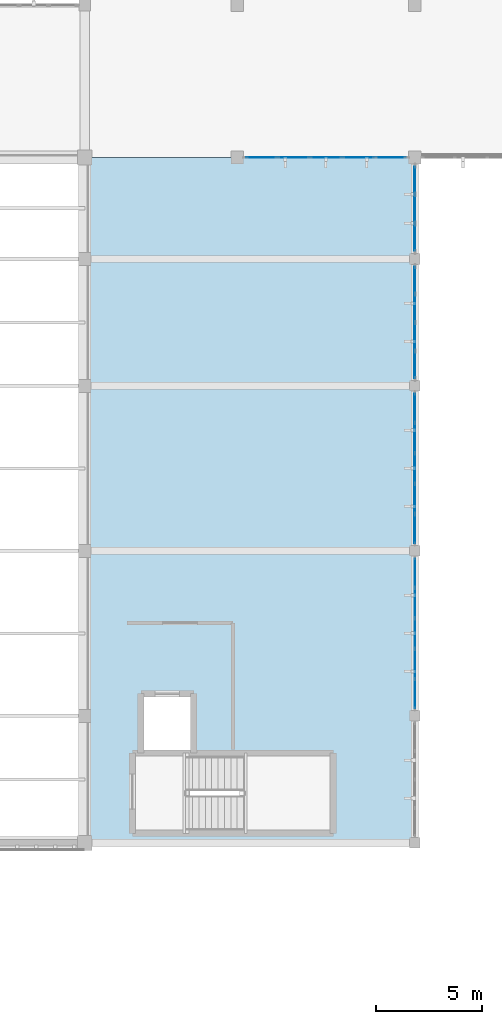
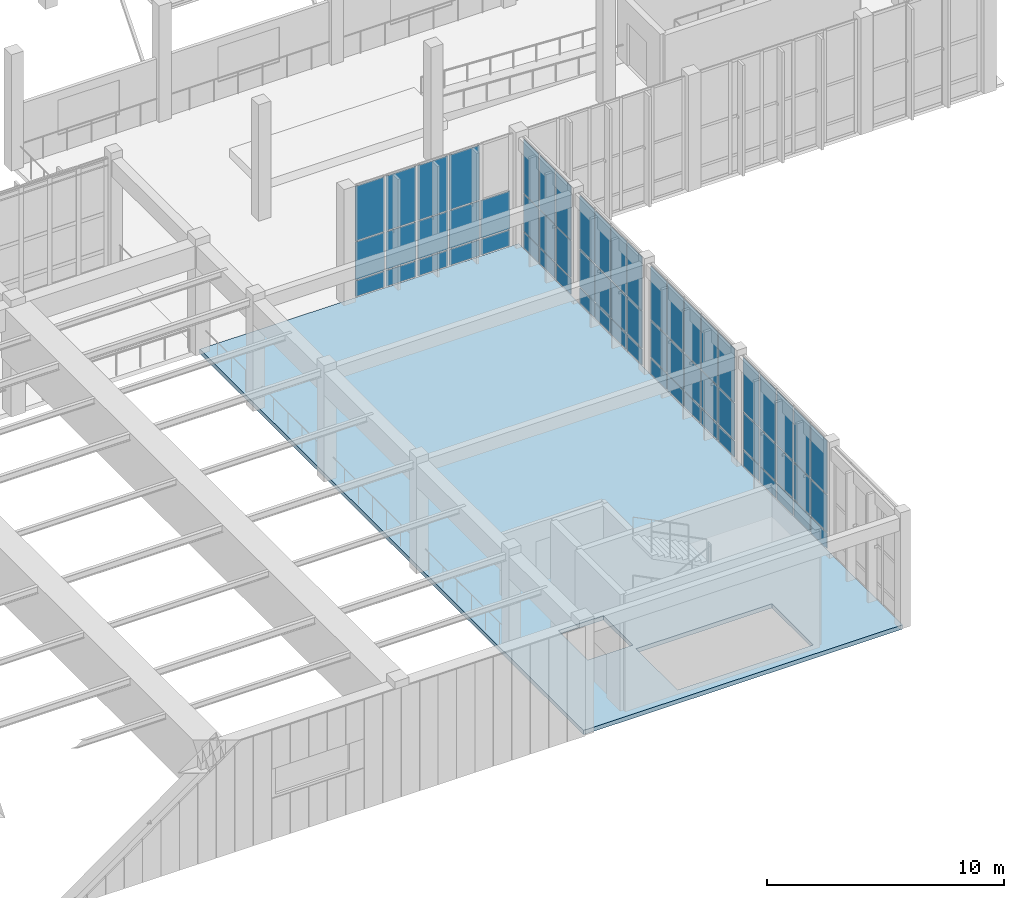
# One storey, part 65 of 105: 65 plates, 1 slab, 5 elements without a shape of their own.
"""IFC4 building model written with IfcOpenShell, lengths in metres."""

from ifc_helpers import new_model, si_unit, direction, frame, origin, origin_2d, place, context, subcontext, project, spatial, polyline, rectangle, outline, extrude, material, layer, layer_set, type_object, element, aggregate, save


model = new_model("IFC4")

# Units and contexts
model_context = context("Model", 3, precision=1e-05, world=origin(), true_north=direction((0.0, 1.0)))
body_context = subcontext(model_context, "Body", "Model", "MODEL_VIEW")
ifc_project = project(units=[si_unit("LENGTHUNIT", "METRE"), si_unit("AREAUNIT", "SQUARE_METRE"), si_unit("VOLUMEUNIT", "CUBIC_METRE"), si_unit("PLANEANGLEUNIT", "RADIAN"), si_unit("MASSUNIT", "GRAM", prefix="KILO")], contexts=[model_context])

# Site, building, storey
site_placement = place(None, origin())
site = spatial("IfcSite", under=ifc_project, at=site_placement, CompositionType="ELEMENT")
building_placement = place(site_placement, origin())
building = spatial("IfcBuilding", under=site, at=building_placement, Name="Tizgana Railside Sports Hall", CompositionType="ELEMENT")
storey_placement = place(building_placement, frame((0.0, 0.0, 6.0)))
storey = spatial("IfcBuildingStorey", under=building, at=storey_placement, Name="L01", CompositionType="ELEMENT", Elevation=6.0)

# Curtain wall, plates
ifc_material_1 = material(Name="Anodised aluminium and glass", Category="aluminium")
curtain_wall_type_1 = type_object("IfcCurtainWallType", Name="Unitised Curtain Wall Foyer 1300", PredefinedType="NOTDEFINED", material=ifc_material_1)
curtain_wall_1_placement = place(storey_placement, origin())
curtain_wall_1 = element("IfcCurtainWall", 1, at=curtain_wall_1_placement, inside=storey, type_object=curtain_wall_type_1, Name="L01 Curtain Wall CW-0033", PredefinedType="NOTDEFINED")
ifc_material_2 = material(Name="Double low-E laminated glass", Category="glass")
ifc_layer_1 = layer(ifc_material_2, 0.033935546875, Name="Double low-E laminated glass")
ifc_layer_set_1 = layer_set([ifc_layer_1], Name="Double low-E laminated glass")
plate_type_1 = type_object("IfcPlateType", Name="Acoustic Laminated Glazing Panel 34", PredefinedType="CURTAIN_PANEL", material=ifc_layer_set_1)
plate_1_placement = place(storey_placement, frame((149.39990234375, 55.64013671875, 0.06494140625), z_axis=(0.0, 0.0, 1.0), x_axis=(0.0, 1.0, 0.0)))
plate_1 = element("IfcPlate", 2, at=plate_1_placement, type_object=plate_type_1, Name="CW-02 panel 1.1", PredefinedType="CURTAIN_PANEL", context=body_context, shape_type="SweptSolid", body=[
    extrude(rectangle(XDim=1.340576171875, YDim=0.033935546875, at=origin_2d()), origin(), (0.0, 0.0, 1.0), 0.802490234375),
])
plate_2_placement = place(storey_placement, frame((149.39990234375, 55.64013671875, 0.9326171875), z_axis=(0.0, 0.0, 1.0), x_axis=(0.0, 1.0, 0.0)))
plate_2 = element("IfcPlate", 3, at=plate_2_placement, type_object=plate_type_1, Name="CW-02 panel 1.2", PredefinedType="CURTAIN_PANEL", context=body_context, shape_type="SweptSolid", body=[
    extrude(rectangle(XDim=1.340576171875, YDim=0.033935546875, at=origin_2d()), origin(), (0.0, 0.0, 1.0), 1.8798828125),
])
plate_3_placement = place(storey_placement, frame((149.39990234375, 55.64013671875, 2.87744140625), z_axis=(0.0, 0.0, 1.0), x_axis=(0.0, 1.0, 0.0)))
plate_3 = element("IfcPlate", 4, at=plate_3_placement, type_object=plate_type_1, Name="CW-02 panel 1.3", PredefinedType="CURTAIN_PANEL", context=body_context, shape_type="SweptSolid", body=[
    extrude(rectangle(XDim=1.340576171875, YDim=0.033935546875, at=origin_2d()), origin(), (0.0, 0.0, 1.0), 2.74755859375),
])
plate_4_placement = place(storey_placement, frame((149.39990234375, 57.06201171875, 0.06494140625), z_axis=(0.0, 0.0, 1.0), x_axis=(0.0, 1.0, 0.0)))
plate_4 = element("IfcPlate", 5, at=plate_4_placement, type_object=plate_type_1, Name="CW-02 panel 2.1", PredefinedType="CURTAIN_PANEL", context=body_context, shape_type="SweptSolid", body=[
    extrude(rectangle(XDim=1.373046875, YDim=0.033935546875, at=origin_2d()), origin(), (0.0, 0.0, 1.0), 0.802490234375),
])
plate_5_placement = place(storey_placement, frame((149.39990234375, 57.06201171875, 0.9326171875), z_axis=(0.0, 0.0, 1.0), x_axis=(0.0, 1.0, 0.0)))
plate_5 = element("IfcPlate", 6, at=plate_5_placement, type_object=plate_type_1, Name="CW-02 panel 2.2", PredefinedType="CURTAIN_PANEL", context=body_context, shape_type="SweptSolid", body=[
    extrude(rectangle(XDim=1.373046875, YDim=0.033935546875, at=origin_2d()), origin(), (0.0, 0.0, 1.0), 1.8798828125),
])
plate_6_placement = place(storey_placement, frame((149.39990234375, 57.06201171875, 2.87744140625), z_axis=(0.0, 0.0, 1.0), x_axis=(0.0, 1.0, 0.0)))
plate_6 = element("IfcPlate", 7, at=plate_6_placement, type_object=plate_type_1, Name="CW-02 panel 2.3", PredefinedType="CURTAIN_PANEL", context=body_context, shape_type="SweptSolid", body=[
    extrude(rectangle(XDim=1.373046875, YDim=0.033935546875, at=origin_2d()), origin(), (0.0, 0.0, 1.0), 2.74755859375),
])
plate_7_placement = place(storey_placement, frame((149.39990234375, 58.5, 0.06494140625), z_axis=(0.0, 0.0, 1.0), x_axis=(0.0, 1.0, 0.0)))
plate_7 = element("IfcPlate", 8, at=plate_7_placement, type_object=plate_type_1, Name="CW-02 panel 3.1", PredefinedType="CURTAIN_PANEL", context=body_context, shape_type="SweptSolid", body=[
    extrude(rectangle(XDim=1.373046875, YDim=0.033935546875, at=origin_2d()), origin(), (0.0, 0.0, 1.0), 0.802490234375),
])
plate_8_placement = place(storey_placement, frame((149.39990234375, 58.5, 0.9326171875), z_axis=(0.0, 0.0, 1.0), x_axis=(0.0, 1.0, 0.0)))
plate_8 = element("IfcPlate", 9, at=plate_8_placement, type_object=plate_type_1, Name="CW-02 panel 3.2", PredefinedType="CURTAIN_PANEL", context=body_context, shape_type="SweptSolid", body=[
    extrude(rectangle(XDim=1.373046875, YDim=0.033935546875, at=origin_2d()), origin(), (0.0, 0.0, 1.0), 1.8798828125),
])
plate_9_placement = place(storey_placement, frame((149.39990234375, 58.5, 2.87744140625), z_axis=(0.0, 0.0, 1.0), x_axis=(0.0, 1.0, 0.0)))
plate_9 = element("IfcPlate", 10, at=plate_9_placement, type_object=plate_type_1, Name="CW-02 panel 3.3", PredefinedType="CURTAIN_PANEL", context=body_context, shape_type="SweptSolid", body=[
    extrude(rectangle(XDim=1.373046875, YDim=0.033935546875, at=origin_2d()), origin(), (0.0, 0.0, 1.0), 2.74755859375),
])
plate_10_placement = place(storey_placement, frame((149.39990234375, 59.93798828125, 0.06494140625), z_axis=(0.0, 0.0, 1.0), x_axis=(0.0, 1.0, 0.0)))
plate_10 = element("IfcPlate", 11, at=plate_10_placement, type_object=plate_type_1, Name="CW-02 panel 4.1", PredefinedType="CURTAIN_PANEL", context=body_context, shape_type="SweptSolid", body=[
    extrude(rectangle(XDim=1.373046875, YDim=0.033935546875, at=origin_2d()), origin(), (0.0, 0.0, 1.0), 0.802490234375),
])
plate_11_placement = place(storey_placement, frame((149.39990234375, 59.93798828125, 0.9326171875), z_axis=(0.0, 0.0, 1.0), x_axis=(0.0, 1.0, 0.0)))
plate_11 = element("IfcPlate", 12, at=plate_11_placement, type_object=plate_type_1, Name="CW-02 panel 4.2", PredefinedType="CURTAIN_PANEL", context=body_context, shape_type="SweptSolid", body=[
    extrude(rectangle(XDim=1.373046875, YDim=0.033935546875, at=origin_2d()), origin(), (0.0, 0.0, 1.0), 1.8798828125),
])
plate_12_placement = place(storey_placement, frame((149.39990234375, 59.93798828125, 2.87744140625), z_axis=(0.0, 0.0, 1.0), x_axis=(0.0, 1.0, 0.0)))
plate_12 = element("IfcPlate", 13, at=plate_12_placement, type_object=plate_type_1, Name="CW-02 panel 4.3", PredefinedType="CURTAIN_PANEL", context=body_context, shape_type="SweptSolid", body=[
    extrude(rectangle(XDim=1.373046875, YDim=0.033935546875, at=origin_2d()), origin(), (0.0, 0.0, 1.0), 2.74755859375),
])
plate_13_placement = place(storey_placement, frame((149.39990234375, 61.35986328125, 0.06494140625), z_axis=(0.0, 0.0, 1.0), x_axis=(0.0, 1.0, 0.0)))
plate_13 = element("IfcPlate", 14, at=plate_13_placement, type_object=plate_type_1, Name="CW-02 panel 5.1", PredefinedType="CURTAIN_PANEL", context=body_context, shape_type="SweptSolid", body=[
    extrude(rectangle(XDim=1.340576171875, YDim=0.033935546875, at=origin_2d()), origin(), (0.0, 0.0, 1.0), 0.802490234375),
])
plate_14_placement = place(storey_placement, frame((149.39990234375, 61.35986328125, 0.9326171875), z_axis=(0.0, 0.0, 1.0), x_axis=(0.0, 1.0, 0.0)))
plate_14 = element("IfcPlate", 15, at=plate_14_placement, type_object=plate_type_1, Name="CW-02 panel 5.2", PredefinedType="CURTAIN_PANEL", context=body_context, shape_type="SweptSolid", body=[
    extrude(rectangle(XDim=1.340576171875, YDim=0.033935546875, at=origin_2d()), origin(), (0.0, 0.0, 1.0), 1.8798828125),
])
plate_15_placement = place(storey_placement, frame((149.39990234375, 61.35986328125, 2.87744140625), z_axis=(0.0, 0.0, 1.0), x_axis=(0.0, 1.0, 0.0)))
plate_15 = element("IfcPlate", 16, at=plate_15_placement, type_object=plate_type_1, Name="CW-02 panel 5.3", PredefinedType="CURTAIN_PANEL", context=body_context, shape_type="SweptSolid", body=[
    extrude(rectangle(XDim=1.340576171875, YDim=0.033935546875, at=origin_2d()), origin(), (0.0, 0.0, 1.0), 2.74755859375),
])
aggregate(curtain_wall_1, [plate_1, plate_2, plate_3, plate_4, plate_5, plate_6, plate_7, plate_8, plate_9, plate_10, plate_11, plate_12, plate_13, plate_14, plate_15])

# Slab
ifc_material_3 = material(Name="Concrete C35/45", Category="concrete")
ifc_layer_2 = layer(ifc_material_3, 0.219970703125, Name="Concrete C35/45")
ifc_layer_set_2 = layer_set([ifc_layer_2], Name="Concrete C35/45")
slab_type = type_object("IfcSlabType", Name="Core Lobby Suspended Slab 220", PredefinedType="FLOOR", material=ifc_layer_set_2)
slab_placement = place(storey_placement, frame((0.0, 0.0, -0.219970703125)))
element("IfcSlab", 17, at=slab_placement, inside=storey, type_object=slab_type, Name="L01 East Athletics Link L01 Slab SLB-0020", PredefinedType="FLOOR", context=body_context, shape_type="SweptSolid", body=[
    extrude(outline(polyline([(133.85009765625, 40.800048828125), (149.39990234375, 40.800048828125), (149.39990234375, 73.199951171875), (133.85009765625, 73.199951171875), (133.85009765625, 40.800048828125)]), holes=[polyline([(138.780029296875, 41.39990234375), (145.39990234375, 41.39990234375), (145.39990234375, 44.89990234375), (138.780029296875, 44.89990234375), (138.780029296875, 41.39990234375)]), polyline([(136.60009765625, 45.199951171875), (138.800048828125, 45.199951171875), (138.800048828125, 47.699951171875), (136.60009765625, 47.699951171875), (136.60009765625, 45.199951171875)])]), origin(), (0.0, 0.0, 1.0), 0.219970703125),
])

# Curtain wall, plates
curtain_wall_type_2 = type_object("IfcCurtainWallType", Name="Unitised Curtain Wall Studio 1400", PredefinedType="NOTDEFINED", material=ifc_material_1)
curtain_wall_2_placement = place(storey_placement, origin())
curtain_wall_2 = element("IfcCurtainWall", 18, at=curtain_wall_2_placement, inside=storey, type_object=curtain_wall_type_2, Name="L01 Curtain Wall CW-0034", PredefinedType="NOTDEFINED")
ifc_layer_3 = layer(ifc_material_2, 0.0400390625, Name="Double low-E laminated glass")
ifc_layer_set_3 = layer_set([ifc_layer_3], Name="Double low-E laminated glass")
plate_type_2 = type_object("IfcPlateType", Name="High-Span Tempered Glazing Panel 40", PredefinedType="CURTAIN_PANEL", material=ifc_layer_set_3)
plate_16_placement = place(storey_placement, frame((149.39990234375, 63.396240234375, 0.070068359375), z_axis=(0.0, 0.0, 1.0), x_axis=(0.0, 1.0, 0.0)))
plate_16 = element("IfcPlate", 19, at=plate_16_placement, type_object=plate_type_2, Name="CW-03 panel 1.1", PredefinedType="CURTAIN_PANEL", context=body_context, shape_type="SweptSolid", body=[
    extrude(rectangle(XDim=1.242431640625, YDim=0.0400390625, at=origin_2d()), origin(), (0.0, 0.0, 1.0), 0.794921875),
])
plate_17_placement = place(storey_placement, frame((149.39990234375, 63.396240234375, 0.93505859375), z_axis=(0.0, 0.0, 1.0), x_axis=(0.0, 1.0, 0.0)))
plate_17 = element("IfcPlate", 20, at=plate_17_placement, type_object=plate_type_2, Name="CW-03 panel 1.2", PredefinedType="CURTAIN_PANEL", context=body_context, shape_type="SweptSolid", body=[
    extrude(rectangle(XDim=1.242431640625, YDim=0.0400390625, at=origin_2d()), origin(), (0.0, 0.0, 1.0), 1.875),
])
plate_18_placement = place(storey_placement, frame((149.39990234375, 63.396240234375, 2.8798828125), z_axis=(0.0, 0.0, 1.0), x_axis=(0.0, 1.0, 0.0)))
plate_18 = element("IfcPlate", 21, at=plate_18_placement, type_object=plate_type_2, Name="CW-03 panel 1.3", PredefinedType="CURTAIN_PANEL", context=body_context, shape_type="SweptSolid", body=[
    extrude(rectangle(XDim=1.242431640625, YDim=0.0400390625, at=origin_2d()), origin(), (0.0, 0.0, 1.0), 2.739990234375),
])
plate_19_placement = place(storey_placement, frame((149.39990234375, 64.726318359375, 0.070068359375), z_axis=(0.0, 0.0, 1.0), x_axis=(0.0, 1.0, 0.0)))
plate_19 = element("IfcPlate", 22, at=plate_19_placement, type_object=plate_type_2, Name="CW-03 panel 2.1", PredefinedType="CURTAIN_PANEL", context=body_context, shape_type="SweptSolid", body=[
    extrude(rectangle(XDim=1.277587890625, YDim=0.0400390625, at=origin_2d()), origin(), (0.0, 0.0, 1.0), 0.794921875),
])
plate_20_placement = place(storey_placement, frame((149.39990234375, 64.726318359375, 0.93505859375), z_axis=(0.0, 0.0, 1.0), x_axis=(0.0, 1.0, 0.0)))
plate_20 = element("IfcPlate", 23, at=plate_20_placement, type_object=plate_type_2, Name="CW-03 panel 2.2", PredefinedType="CURTAIN_PANEL", context=body_context, shape_type="SweptSolid", body=[
    extrude(rectangle(XDim=1.277587890625, YDim=0.0400390625, at=origin_2d()), origin(), (0.0, 0.0, 1.0), 1.875),
])
plate_21_placement = place(storey_placement, frame((149.39990234375, 64.726318359375, 2.8798828125), z_axis=(0.0, 0.0, 1.0), x_axis=(0.0, 1.0, 0.0)))
plate_21 = element("IfcPlate", 24, at=plate_21_placement, type_object=plate_type_2, Name="CW-03 panel 2.3", PredefinedType="CURTAIN_PANEL", context=body_context, shape_type="SweptSolid", body=[
    extrude(rectangle(XDim=1.277587890625, YDim=0.0400390625, at=origin_2d()), origin(), (0.0, 0.0, 1.0), 2.739990234375),
])
plate_22_placement = place(storey_placement, frame((149.39990234375, 66.07373046875, 0.070068359375), z_axis=(0.0, 0.0, 1.0), x_axis=(0.0, 1.0, 0.0)))
plate_22 = element("IfcPlate", 25, at=plate_22_placement, type_object=plate_type_2, Name="CW-03 panel 3.1", PredefinedType="CURTAIN_PANEL", context=body_context, shape_type="SweptSolid", body=[
    extrude(rectangle(XDim=1.277587890625, YDim=0.0400390625, at=origin_2d()), origin(), (0.0, 0.0, 1.0), 0.794921875),
])
plate_23_placement = place(storey_placement, frame((149.39990234375, 66.07373046875, 0.93505859375), z_axis=(0.0, 0.0, 1.0), x_axis=(0.0, 1.0, 0.0)))
plate_23 = element("IfcPlate", 26, at=plate_23_placement, type_object=plate_type_2, Name="CW-03 panel 3.2", PredefinedType="CURTAIN_PANEL", context=body_context, shape_type="SweptSolid", body=[
    extrude(rectangle(XDim=1.277587890625, YDim=0.0400390625, at=origin_2d()), origin(), (0.0, 0.0, 1.0), 1.875),
])
plate_24_placement = place(storey_placement, frame((149.39990234375, 66.07373046875, 2.8798828125), z_axis=(0.0, 0.0, 1.0), x_axis=(0.0, 1.0, 0.0)))
plate_24 = element("IfcPlate", 27, at=plate_24_placement, type_object=plate_type_2, Name="CW-03 panel 3.3", PredefinedType="CURTAIN_PANEL", context=body_context, shape_type="SweptSolid", body=[
    extrude(rectangle(XDim=1.277587890625, YDim=0.0400390625, at=origin_2d()), origin(), (0.0, 0.0, 1.0), 2.739990234375),
])
plate_25_placement = place(storey_placement, frame((149.39990234375, 67.40380859375, 0.070068359375), z_axis=(0.0, 0.0, 1.0), x_axis=(0.0, 1.0, 0.0)))
plate_25 = element("IfcPlate", 28, at=plate_25_placement, type_object=plate_type_2, Name="CW-03 panel 4.1", PredefinedType="CURTAIN_PANEL", context=body_context, shape_type="SweptSolid", body=[
    extrude(rectangle(XDim=1.242431640625, YDim=0.0400390625, at=origin_2d()), origin(), (0.0, 0.0, 1.0), 0.794921875),
])
plate_26_placement = place(storey_placement, frame((149.39990234375, 67.40380859375, 0.93505859375), z_axis=(0.0, 0.0, 1.0), x_axis=(0.0, 1.0, 0.0)))
plate_26 = element("IfcPlate", 29, at=plate_26_placement, type_object=plate_type_2, Name="CW-03 panel 4.2", PredefinedType="CURTAIN_PANEL", context=body_context, shape_type="SweptSolid", body=[
    extrude(rectangle(XDim=1.242431640625, YDim=0.0400390625, at=origin_2d()), origin(), (0.0, 0.0, 1.0), 1.875),
])
plate_27_placement = place(storey_placement, frame((149.39990234375, 67.40380859375, 2.8798828125), z_axis=(0.0, 0.0, 1.0), x_axis=(0.0, 1.0, 0.0)))
plate_27 = element("IfcPlate", 30, at=plate_27_placement, type_object=plate_type_2, Name="CW-03 panel 4.3", PredefinedType="CURTAIN_PANEL", context=body_context, shape_type="SweptSolid", body=[
    extrude(rectangle(XDim=1.242431640625, YDim=0.0400390625, at=origin_2d()), origin(), (0.0, 0.0, 1.0), 2.739990234375),
])
aggregate(curtain_wall_2, [plate_16, plate_17, plate_18, plate_19, plate_20, plate_21, plate_22, plate_23, plate_24, plate_25, plate_26, plate_27])

curtain_wall_type_3 = type_object("IfcCurtainWallType", Name="Unitised Curtain Wall Climbing 1600", PredefinedType="NOTDEFINED", material=ifc_material_1)
curtain_wall_3_placement = place(storey_placement, origin())
curtain_wall_3 = element("IfcCurtainWall", 31, at=curtain_wall_3_placement, inside=storey, type_object=curtain_wall_type_3, Name="L01 Curtain Wall CW-0035", PredefinedType="NOTDEFINED")
ifc_layer_4 = layer(ifc_material_2, 0.031982421875, Name="Double low-E laminated glass")
ifc_layer_set_4 = layer_set([ifc_layer_4], Name="Double low-E laminated glass")
plate_type_3 = type_object("IfcPlateType", Name="North-Light Clerestory Glazing Panel 32", PredefinedType="CURTAIN_PANEL", material=ifc_layer_set_4)
plate_28_placement = place(storey_placement, frame((149.39990234375, 69.413818359375, 0.05517578125), z_axis=(0.0, 0.0, 1.0), x_axis=(0.0, 1.0, 0.0)))
plate_28 = element("IfcPlate", 32, at=plate_28_placement, type_object=plate_type_3, Name="CW-04 panel 1.1", PredefinedType="CURTAIN_PANEL", context=body_context, shape_type="SweptSolid", body=[
    extrude(rectangle(XDim=1.267578125, YDim=0.031982421875, at=origin_2d()), origin(), (0.0, 0.0, 1.0), 0.8173828125),
])
plate_29_placement = place(storey_placement, frame((149.39990234375, 69.413818359375, 0.927734375), z_axis=(0.0, 0.0, 1.0), x_axis=(0.0, 1.0, 0.0)))
plate_29 = element("IfcPlate", 33, at=plate_29_placement, type_object=plate_type_3, Name="CW-04 panel 1.2", PredefinedType="CURTAIN_PANEL", context=body_context, shape_type="SweptSolid", body=[
    extrude(rectangle(XDim=1.267578125, YDim=0.031982421875, at=origin_2d()), origin(), (0.0, 0.0, 1.0), 1.889892578125),
])
plate_30_placement = place(storey_placement, frame((149.39990234375, 69.413818359375, 2.87255859375), z_axis=(0.0, 0.0, 1.0), x_axis=(0.0, 1.0, 0.0)))
plate_30 = element("IfcPlate", 34, at=plate_30_placement, type_object=plate_type_3, Name="CW-04 panel 1.3", PredefinedType="CURTAIN_PANEL", context=body_context, shape_type="SweptSolid", body=[
    extrude(rectangle(XDim=1.267578125, YDim=0.031982421875, at=origin_2d()), origin(), (0.0, 0.0, 1.0), 2.762451171875),
])
plate_31_placement = place(storey_placement, frame((149.39990234375, 70.77490234375, 0.05517578125), z_axis=(0.0, 0.0, 1.0), x_axis=(0.0, 1.0, 0.0)))
plate_31 = element("IfcPlate", 35, at=plate_31_placement, type_object=plate_type_3, Name="CW-04 panel 2.1", PredefinedType="CURTAIN_PANEL", context=body_context, shape_type="SweptSolid", body=[
    extrude(rectangle(XDim=1.304931640625, YDim=0.031982421875, at=origin_2d()), origin(), (0.0, 0.0, 1.0), 0.8173828125),
])
plate_32_placement = place(storey_placement, frame((149.39990234375, 70.77490234375, 0.927734375), z_axis=(0.0, 0.0, 1.0), x_axis=(0.0, 1.0, 0.0)))
plate_32 = element("IfcPlate", 36, at=plate_32_placement, type_object=plate_type_3, Name="CW-04 panel 2.2", PredefinedType="CURTAIN_PANEL", context=body_context, shape_type="SweptSolid", body=[
    extrude(rectangle(XDim=1.304931640625, YDim=0.031982421875, at=origin_2d()), origin(), (0.0, 0.0, 1.0), 1.889892578125),
])
plate_33_placement = place(storey_placement, frame((149.39990234375, 70.77490234375, 2.87255859375), z_axis=(0.0, 0.0, 1.0), x_axis=(0.0, 1.0, 0.0)))
plate_33 = element("IfcPlate", 37, at=plate_33_placement, type_object=plate_type_3, Name="CW-04 panel 2.3", PredefinedType="CURTAIN_PANEL", context=body_context, shape_type="SweptSolid", body=[
    extrude(rectangle(XDim=1.304931640625, YDim=0.031982421875, at=origin_2d()), origin(), (0.0, 0.0, 1.0), 2.762451171875),
])
plate_34_placement = place(storey_placement, frame((149.39990234375, 72.13623046875, 0.05517578125), z_axis=(0.0, 0.0, 1.0), x_axis=(0.0, 1.0, 0.0)))
plate_34 = element("IfcPlate", 38, at=plate_34_placement, type_object=plate_type_3, Name="CW-04 panel 3.1", PredefinedType="CURTAIN_PANEL", context=body_context, shape_type="SweptSolid", body=[
    extrude(rectangle(XDim=1.267578125, YDim=0.031982421875, at=origin_2d()), origin(), (0.0, 0.0, 1.0), 0.8173828125),
])
plate_35_placement = place(storey_placement, frame((149.39990234375, 72.13623046875, 0.927734375), z_axis=(0.0, 0.0, 1.0), x_axis=(0.0, 1.0, 0.0)))
plate_35 = element("IfcPlate", 39, at=plate_35_placement, type_object=plate_type_3, Name="CW-04 panel 3.2", PredefinedType="CURTAIN_PANEL", context=body_context, shape_type="SweptSolid", body=[
    extrude(rectangle(XDim=1.267578125, YDim=0.031982421875, at=origin_2d()), origin(), (0.0, 0.0, 1.0), 1.889892578125),
])
plate_36_placement = place(storey_placement, frame((149.39990234375, 72.13623046875, 2.87255859375), z_axis=(0.0, 0.0, 1.0), x_axis=(0.0, 1.0, 0.0)))
plate_36 = element("IfcPlate", 40, at=plate_36_placement, type_object=plate_type_3, Name="CW-04 panel 3.3", PredefinedType="CURTAIN_PANEL", context=body_context, shape_type="SweptSolid", body=[
    extrude(rectangle(XDim=1.267578125, YDim=0.031982421875, at=origin_2d()), origin(), (0.0, 0.0, 1.0), 2.762451171875),
])
aggregate(curtain_wall_3, [plate_28, plate_29, plate_30, plate_31, plate_32, plate_33, plate_34, plate_35, plate_36])

curtain_wall_type_4 = type_object("IfcCurtainWallType", Name="Unitised Curtain Wall EastHall 1500", PredefinedType="NOTDEFINED", material=ifc_material_1)
curtain_wall_4_placement = place(storey_placement, origin())
curtain_wall_4 = element("IfcCurtainWall", 41, at=curtain_wall_4_placement, inside=storey, type_object=curtain_wall_type_4, Name="L01 Curtain Wall CW-0071", PredefinedType="NOTDEFINED")
plate_37_placement = place(storey_placement, frame((148.25732421875, 73.199951171875, 0.05517578125), z_axis=(0.0, 0.0, 1.0), x_axis=(-1.0, 0.0, 0.0)))
plate_37 = element("IfcPlate", 42, at=plate_37_placement, type_object=plate_type_3, Name="CW-08 panel 1.1", PredefinedType="CURTAIN_PANEL", context=body_context, shape_type="SweptSolid", body=[
    extrude(rectangle(XDim=1.425537109375, YDim=0.031982421875, at=origin_2d()), origin(), (0.0, 0.0, 1.0), 0.8173828125),
])
plate_38_placement = place(storey_placement, frame((148.25732421875, 73.199951171875, 0.92724609375), z_axis=(0.0, 0.0, 1.0), x_axis=(-1.0, 0.0, 0.0)))
plate_38 = element("IfcPlate", 43, at=plate_38_placement, type_object=plate_type_3, Name="CW-08 panel 1.2", PredefinedType="CURTAIN_PANEL", context=body_context, shape_type="SweptSolid", body=[
    extrude(rectangle(XDim=1.425537109375, YDim=0.031982421875, at=origin_2d()), origin(), (0.0, 0.0, 1.0), 1.945068359375),
])
plate_39_placement = place(storey_placement, frame((146.738037109375, 73.199951171875, 0.05517578125), z_axis=(0.0, 0.0, 1.0), x_axis=(-1.0, 0.0, 0.0)))
plate_39 = element("IfcPlate", 44, at=plate_39_placement, type_object=plate_type_3, Name="CW-08 panel 2.1", PredefinedType="CURTAIN_PANEL", context=body_context, shape_type="SweptSolid", body=[
    extrude(rectangle(XDim=1.462890625, YDim=0.031982421875, at=origin_2d()), origin(), (0.0, 0.0, 1.0), 0.8173828125),
])
plate_40_placement = place(storey_placement, frame((146.738037109375, 73.199951171875, 0.92724609375), z_axis=(0.0, 0.0, 1.0), x_axis=(-1.0, 0.0, 0.0)))
plate_40 = element("IfcPlate", 45, at=plate_40_placement, type_object=plate_type_3, Name="CW-08 panel 2.2", PredefinedType="CURTAIN_PANEL", context=body_context, shape_type="SweptSolid", body=[
    extrude(rectangle(XDim=1.462890625, YDim=0.031982421875, at=origin_2d()), origin(), (0.0, 0.0, 1.0), 1.945068359375),
])
plate_41_placement = place(storey_placement, frame((146.738037109375, 73.199951171875, 2.927490234375), z_axis=(0.0, 0.0, 1.0), x_axis=(-1.0, 0.0, 0.0)))
plate_41 = element("IfcPlate", 46, at=plate_41_placement, type_object=plate_type_3, Name="CW-08 panel 2.3", PredefinedType="CURTAIN_PANEL", context=body_context, shape_type="SweptSolid", body=[
    extrude(rectangle(XDim=1.462890625, YDim=0.031982421875, at=origin_2d()), origin(), (0.0, 0.0, 1.0), 2.8173828125),
])
plate_42_placement = place(storey_placement, frame((145.199951171875, 73.199951171875, 0.05517578125), z_axis=(0.0, 0.0, 1.0), x_axis=(-1.0, 0.0, 0.0)))
plate_42 = element("IfcPlate", 47, at=plate_42_placement, type_object=plate_type_3, Name="CW-08 panel 3.1", PredefinedType="CURTAIN_PANEL", context=body_context, shape_type="SweptSolid", body=[
    extrude(rectangle(XDim=1.462890625, YDim=0.031982421875, at=origin_2d()), origin(), (0.0, 0.0, 1.0), 0.8173828125),
])
plate_43_placement = place(storey_placement, frame((145.199951171875, 73.199951171875, 0.92724609375), z_axis=(0.0, 0.0, 1.0), x_axis=(-1.0, 0.0, 0.0)))
plate_43 = element("IfcPlate", 48, at=plate_43_placement, type_object=plate_type_3, Name="CW-08 panel 3.2", PredefinedType="CURTAIN_PANEL", context=body_context, shape_type="SweptSolid", body=[
    extrude(rectangle(XDim=1.462890625, YDim=0.031982421875, at=origin_2d()), origin(), (0.0, 0.0, 1.0), 1.945068359375),
])
plate_44_placement = place(storey_placement, frame((145.199951171875, 73.199951171875, 2.927490234375), z_axis=(0.0, 0.0, 1.0), x_axis=(-1.0, 0.0, 0.0)))
plate_44 = element("IfcPlate", 49, at=plate_44_placement, type_object=plate_type_3, Name="CW-08 panel 3.3", PredefinedType="CURTAIN_PANEL", context=body_context, shape_type="SweptSolid", body=[
    extrude(rectangle(XDim=1.462890625, YDim=0.031982421875, at=origin_2d()), origin(), (0.0, 0.0, 1.0), 2.8173828125),
])
plate_45_placement = place(storey_placement, frame((143.662109375, 73.199951171875, 0.05517578125), z_axis=(0.0, 0.0, 1.0), x_axis=(-1.0, 0.0, 0.0)))
plate_45 = element("IfcPlate", 50, at=plate_45_placement, type_object=plate_type_3, Name="CW-08 panel 4.1", PredefinedType="CURTAIN_PANEL", context=body_context, shape_type="SweptSolid", body=[
    extrude(rectangle(XDim=1.462890625, YDim=0.031982421875, at=origin_2d()), origin(), (0.0, 0.0, 1.0), 0.8173828125),
])
plate_46_placement = place(storey_placement, frame((143.662109375, 73.199951171875, 0.92724609375), z_axis=(0.0, 0.0, 1.0), x_axis=(-1.0, 0.0, 0.0)))
plate_46 = element("IfcPlate", 51, at=plate_46_placement, type_object=plate_type_3, Name="CW-08 panel 4.2", PredefinedType="CURTAIN_PANEL", context=body_context, shape_type="SweptSolid", body=[
    extrude(rectangle(XDim=1.462890625, YDim=0.031982421875, at=origin_2d()), origin(), (0.0, 0.0, 1.0), 1.945068359375),
])
plate_47_placement = place(storey_placement, frame((143.662109375, 73.199951171875, 2.927490234375), z_axis=(0.0, 0.0, 1.0), x_axis=(-1.0, 0.0, 0.0)))
plate_47 = element("IfcPlate", 52, at=plate_47_placement, type_object=plate_type_3, Name="CW-08 panel 4.3", PredefinedType="CURTAIN_PANEL", context=body_context, shape_type="SweptSolid", body=[
    extrude(rectangle(XDim=1.462890625, YDim=0.031982421875, at=origin_2d()), origin(), (0.0, 0.0, 1.0), 2.8173828125),
])
plate_48_placement = place(storey_placement, frame((142.142822265625, 73.199951171875, 0.05517578125), z_axis=(0.0, 0.0, 1.0), x_axis=(-1.0, 0.0, 0.0)))
plate_48 = element("IfcPlate", 53, at=plate_48_placement, type_object=plate_type_3, Name="CW-08 panel 5.1", PredefinedType="CURTAIN_PANEL", context=body_context, shape_type="SweptSolid", body=[
    extrude(rectangle(XDim=1.425537109375, YDim=0.031982421875, at=origin_2d()), origin(), (0.0, 0.0, 1.0), 0.8173828125),
])
plate_49_placement = place(storey_placement, frame((142.142822265625, 73.199951171875, 0.92724609375), z_axis=(0.0, 0.0, 1.0), x_axis=(-1.0, 0.0, 0.0)))
plate_49 = element("IfcPlate", 54, at=plate_49_placement, type_object=plate_type_3, Name="CW-08 panel 5.2", PredefinedType="CURTAIN_PANEL", context=body_context, shape_type="SweptSolid", body=[
    extrude(rectangle(XDim=1.425537109375, YDim=0.031982421875, at=origin_2d()), origin(), (0.0, 0.0, 1.0), 1.945068359375),
])
plate_50_placement = place(storey_placement, frame((142.142822265625, 73.199951171875, 2.927490234375), z_axis=(0.0, 0.0, 1.0), x_axis=(-1.0, 0.0, 0.0)))
plate_50 = element("IfcPlate", 55, at=plate_50_placement, type_object=plate_type_3, Name="CW-08 panel 5.3", PredefinedType="CURTAIN_PANEL", context=body_context, shape_type="SweptSolid", body=[
    extrude(rectangle(XDim=1.425537109375, YDim=0.031982421875, at=origin_2d()), origin(), (0.0, 0.0, 1.0), 2.8173828125),
])
aggregate(curtain_wall_4, [plate_37, plate_38, plate_39, plate_40, plate_41, plate_42, plate_43, plate_44, plate_45, plate_46, plate_47, plate_48, plate_49, plate_50])

curtain_wall_type_5 = type_object("IfcCurtainWallType", Name="Unitised Curtain Wall Concourse 1500", PredefinedType="NOTDEFINED", material=ifc_material_1)
curtain_wall_5_placement = place(storey_placement, origin())
curtain_wall_5 = element("IfcCurtainWall", 56, at=curtain_wall_5_placement, inside=storey, type_object=curtain_wall_type_5, Name="L01 Curtain Wall CW-0032", PredefinedType="NOTDEFINED")
ifc_layer_5 = layer(ifc_material_2, 0.028076171875, Name="Double low-E laminated glass")
ifc_layer_set_5 = layer_set([ifc_layer_5], Name="Double low-E laminated glass")
plate_type_4 = type_object("IfcPlateType", Name="Solar Low-E Glazing Panel 28", PredefinedType="CURTAIN_PANEL", material=ifc_layer_set_5)
plate_51_placement = place(storey_placement, frame((149.39990234375, 47.839111328125, 0.06005859375), z_axis=(0.0, 0.0, 1.0), x_axis=(0.0, 1.0, 0.0)))
plate_51 = element("IfcPlate", 57, at=plate_51_placement, type_object=plate_type_4, Name="CW-01 panel 1.1", PredefinedType="CURTAIN_PANEL", context=body_context, shape_type="SweptSolid", body=[
    extrude(rectangle(XDim=1.347900390625, YDim=0.028076171875, at=origin_2d()), origin(), (0.0, 0.0, 1.0), 0.81005859375),
])
plate_52_placement = place(storey_placement, frame((149.39990234375, 47.839111328125, 0.93017578125), z_axis=(0.0, 0.0, 1.0), x_axis=(0.0, 1.0, 0.0)))
plate_52 = element("IfcPlate", 58, at=plate_52_placement, type_object=plate_type_4, Name="CW-01 panel 1.2", PredefinedType="CURTAIN_PANEL", context=body_context, shape_type="SweptSolid", body=[
    extrude(rectangle(XDim=1.347900390625, YDim=0.028076171875, at=origin_2d()), origin(), (0.0, 0.0, 1.0), 1.885009765625),
])
plate_53_placement = place(storey_placement, frame((149.39990234375, 47.839111328125, 2.875), z_axis=(0.0, 0.0, 1.0), x_axis=(0.0, 1.0, 0.0)))
plate_53 = element("IfcPlate", 59, at=plate_53_placement, type_object=plate_type_4, Name="CW-01 panel 1.3", PredefinedType="CURTAIN_PANEL", context=body_context, shape_type="SweptSolid", body=[
    extrude(rectangle(XDim=1.347900390625, YDim=0.028076171875, at=origin_2d()), origin(), (0.0, 0.0, 1.0), 2.7548828125),
])
plate_54_placement = place(storey_placement, frame((149.39990234375, 49.261962890625, 0.06005859375), z_axis=(0.0, 0.0, 1.0), x_axis=(0.0, 1.0, 0.0)))
plate_54 = element("IfcPlate", 60, at=plate_54_placement, type_object=plate_type_4, Name="CW-01 panel 2.1", PredefinedType="CURTAIN_PANEL", context=body_context, shape_type="SweptSolid", body=[
    extrude(rectangle(XDim=1.3779296875, YDim=0.028076171875, at=origin_2d()), origin(), (0.0, 0.0, 1.0), 0.81005859375),
])
plate_55_placement = place(storey_placement, frame((149.39990234375, 49.261962890625, 0.93017578125), z_axis=(0.0, 0.0, 1.0), x_axis=(0.0, 1.0, 0.0)))
plate_55 = element("IfcPlate", 61, at=plate_55_placement, type_object=plate_type_4, Name="CW-01 panel 2.2", PredefinedType="CURTAIN_PANEL", context=body_context, shape_type="SweptSolid", body=[
    extrude(rectangle(XDim=1.3779296875, YDim=0.028076171875, at=origin_2d()), origin(), (0.0, 0.0, 1.0), 1.885009765625),
])
plate_56_placement = place(storey_placement, frame((149.39990234375, 49.261962890625, 2.875), z_axis=(0.0, 0.0, 1.0), x_axis=(0.0, 1.0, 0.0)))
plate_56 = element("IfcPlate", 62, at=plate_56_placement, type_object=plate_type_4, Name="CW-01 panel 2.3", PredefinedType="CURTAIN_PANEL", context=body_context, shape_type="SweptSolid", body=[
    extrude(rectangle(XDim=1.3779296875, YDim=0.028076171875, at=origin_2d()), origin(), (0.0, 0.0, 1.0), 2.7548828125),
])
plate_57_placement = place(storey_placement, frame((149.39990234375, 50.699951171875, 0.06005859375), z_axis=(0.0, 0.0, 1.0), x_axis=(0.0, 1.0, 0.0)))
plate_57 = element("IfcPlate", 63, at=plate_57_placement, type_object=plate_type_4, Name="CW-01 panel 3.1", PredefinedType="CURTAIN_PANEL", context=body_context, shape_type="SweptSolid", body=[
    extrude(rectangle(XDim=1.3779296875, YDim=0.028076171875, at=origin_2d()), origin(), (0.0, 0.0, 1.0), 0.81005859375),
])
plate_58_placement = place(storey_placement, frame((149.39990234375, 50.699951171875, 0.93017578125), z_axis=(0.0, 0.0, 1.0), x_axis=(0.0, 1.0, 0.0)))
plate_58 = element("IfcPlate", 64, at=plate_58_placement, type_object=plate_type_4, Name="CW-01 panel 3.2", PredefinedType="CURTAIN_PANEL", context=body_context, shape_type="SweptSolid", body=[
    extrude(rectangle(XDim=1.3779296875, YDim=0.028076171875, at=origin_2d()), origin(), (0.0, 0.0, 1.0), 1.885009765625),
])
plate_59_placement = place(storey_placement, frame((149.39990234375, 50.699951171875, 2.875), z_axis=(0.0, 0.0, 1.0), x_axis=(0.0, 1.0, 0.0)))
plate_59 = element("IfcPlate", 65, at=plate_59_placement, type_object=plate_type_4, Name="CW-01 panel 3.3", PredefinedType="CURTAIN_PANEL", context=body_context, shape_type="SweptSolid", body=[
    extrude(rectangle(XDim=1.3779296875, YDim=0.028076171875, at=origin_2d()), origin(), (0.0, 0.0, 1.0), 2.7548828125),
])
plate_60_placement = place(storey_placement, frame((149.39990234375, 52.137939453125, 0.06005859375), z_axis=(0.0, 0.0, 1.0), x_axis=(0.0, 1.0, 0.0)))
plate_60 = element("IfcPlate", 66, at=plate_60_placement, type_object=plate_type_4, Name="CW-01 panel 4.1", PredefinedType="CURTAIN_PANEL", context=body_context, shape_type="SweptSolid", body=[
    extrude(rectangle(XDim=1.3779296875, YDim=0.028076171875, at=origin_2d()), origin(), (0.0, 0.0, 1.0), 0.81005859375),
])
plate_61_placement = place(storey_placement, frame((149.39990234375, 52.137939453125, 0.93017578125), z_axis=(0.0, 0.0, 1.0), x_axis=(0.0, 1.0, 0.0)))
plate_61 = element("IfcPlate", 67, at=plate_61_placement, type_object=plate_type_4, Name="CW-01 panel 4.2", PredefinedType="CURTAIN_PANEL", context=body_context, shape_type="SweptSolid", body=[
    extrude(rectangle(XDim=1.3779296875, YDim=0.028076171875, at=origin_2d()), origin(), (0.0, 0.0, 1.0), 1.885009765625),
])
plate_62_placement = place(storey_placement, frame((149.39990234375, 52.137939453125, 2.875), z_axis=(0.0, 0.0, 1.0), x_axis=(0.0, 1.0, 0.0)))
plate_62 = element("IfcPlate", 68, at=plate_62_placement, type_object=plate_type_4, Name="CW-01 panel 4.3", PredefinedType="CURTAIN_PANEL", context=body_context, shape_type="SweptSolid", body=[
    extrude(rectangle(XDim=1.3779296875, YDim=0.028076171875, at=origin_2d()), origin(), (0.0, 0.0, 1.0), 2.7548828125),
])
plate_63_placement = place(storey_placement, frame((149.39990234375, 53.56103515625, 0.06005859375), z_axis=(0.0, 0.0, 1.0), x_axis=(0.0, 1.0, 0.0)))
plate_63 = element("IfcPlate", 69, at=plate_63_placement, type_object=plate_type_4, Name="CW-01 panel 5.1", PredefinedType="CURTAIN_PANEL", context=body_context, shape_type="SweptSolid", body=[
    extrude(rectangle(XDim=1.347900390625, YDim=0.028076171875, at=origin_2d()), origin(), (0.0, 0.0, 1.0), 0.81005859375),
])
plate_64_placement = place(storey_placement, frame((149.39990234375, 53.56103515625, 0.93017578125), z_axis=(0.0, 0.0, 1.0), x_axis=(0.0, 1.0, 0.0)))
plate_64 = element("IfcPlate", 70, at=plate_64_placement, type_object=plate_type_4, Name="CW-01 panel 5.2", PredefinedType="CURTAIN_PANEL", context=body_context, shape_type="SweptSolid", body=[
    extrude(rectangle(XDim=1.347900390625, YDim=0.028076171875, at=origin_2d()), origin(), (0.0, 0.0, 1.0), 1.885009765625),
])
plate_65_placement = place(storey_placement, frame((149.39990234375, 53.56103515625, 2.875), z_axis=(0.0, 0.0, 1.0), x_axis=(0.0, 1.0, 0.0)))
plate_65 = element("IfcPlate", 71, at=plate_65_placement, type_object=plate_type_4, Name="CW-01 panel 5.3", PredefinedType="CURTAIN_PANEL", context=body_context, shape_type="SweptSolid", body=[
    extrude(rectangle(XDim=1.347900390625, YDim=0.028076171875, at=origin_2d()), origin(), (0.0, 0.0, 1.0), 2.7548828125),
])
aggregate(curtain_wall_5, [plate_51, plate_52, plate_53, plate_54, plate_55, plate_56, plate_57, plate_58, plate_59, plate_60, plate_61, plate_62, plate_63, plate_64, plate_65])

save(model, "model.ifc")
